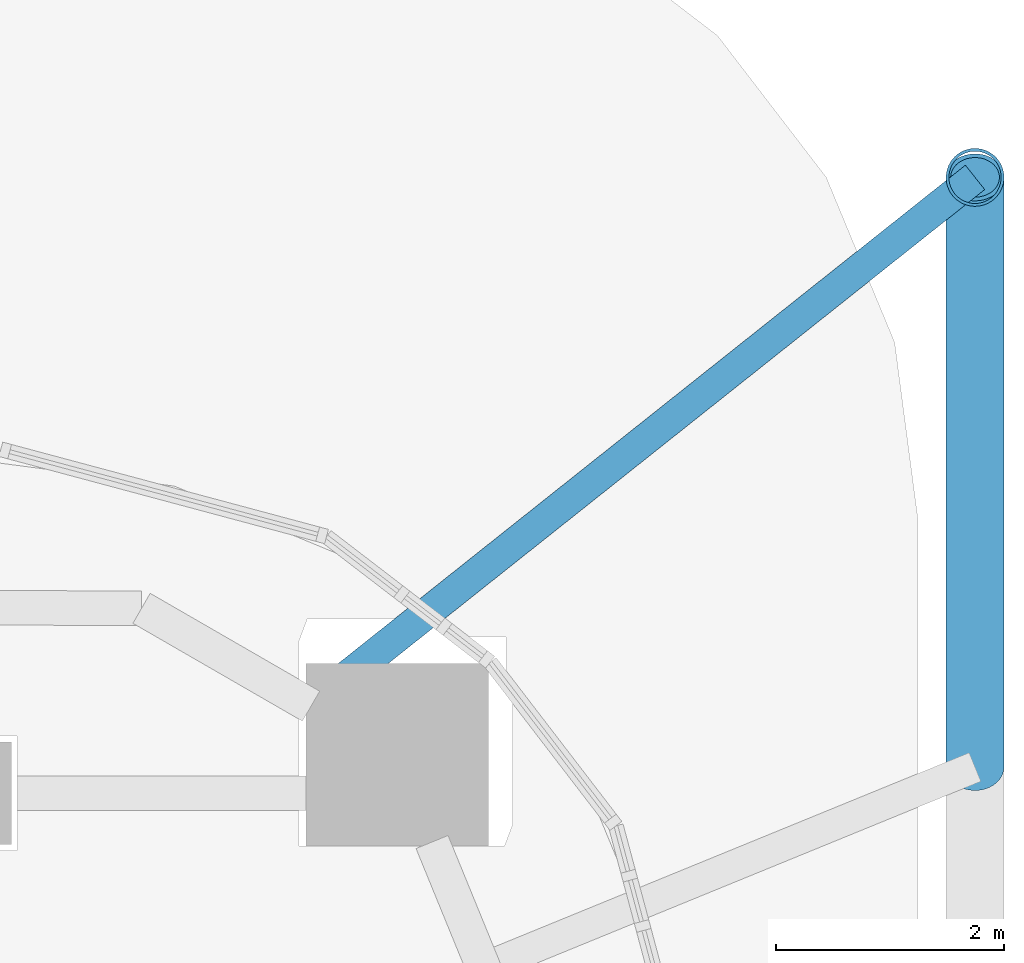
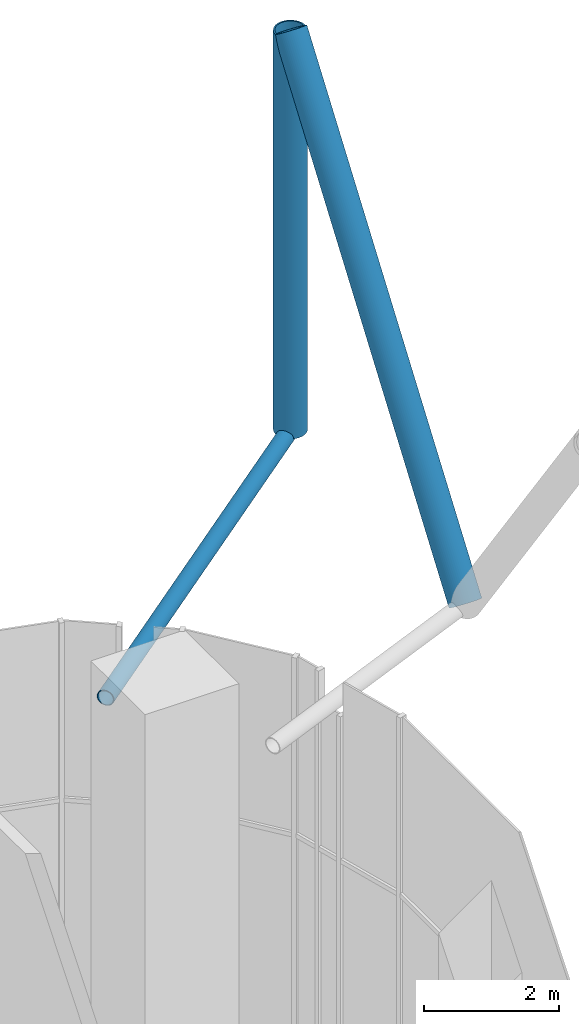
# One storey, part 12 of 34: 3 members.
"""IFC4 building model written with IfcOpenShell, lengths in metres."""

import ifcopenshell
import ifcopenshell.guid

model = None  # the IFC model being written
_history = None  # IfcOwnerHistory: only IFC2X3 demands one
_inside = {}  # id of a spatial element -> (the spatial element, [elements in it])
_under = {}  # id of a project, library or spatial element -> (it, [spatial elements below it])
_declared = {}  # id of a project -> (the project, [libraries it declares])
_typed = {}  # id of a type object -> (the type object, [elements of that type])
_made_of = {}  # id of a material, layer set ... -> (it, [elements and type objects made of it])


def new_model(schema):
    """Start an empty IFC model of exactly this schema.

    Asked for "IFC4X3", IfcOpenShell would pick the latest addendum, in which some entities
    have other attributes; the version numbers below select the first issue.
    IFC2X3 requires an IfcOwnerHistory on every rooted entity: one is made here for all.
    """
    global model, _history
    if schema == "IFC4X3":
        model = ifcopenshell.file(schema_version=(4, 3, 0, 0))
    else:
        model = ifcopenshell.file(schema=schema)
    _inside.clear()
    _under.clear()
    _declared.clear()
    _typed.clear()
    _made_of.clear()
    _history = None
    if model.schema == "IFC2X3":
        org = make("IfcOrganization", Name="unknown")
        user = make(
            "IfcPersonAndOrganization",
            ThePerson=make("IfcPerson", FamilyName="unknown"),
            TheOrganization=org,
        )
        app = make(
            "IfcApplication",
            ApplicationDeveloper=org,
            Version="unknown",
            ApplicationFullName="unknown",
            ApplicationIdentifier="unknown",
        )
        _history = make(
            "IfcOwnerHistory",
            OwningUser=user,
            OwningApplication=app,
            ChangeAction="ADDED",
            CreationDate=0,
        )
    return model


def make(cls, **values):
    """One entity of the class cls with the attributes given. An attribute that is None is left unset."""
    return model.create_entity(
        cls, **{name: value for name, value in values.items() if value is not None}
    )


def rooted(cls, **values):
    """An entity with a GlobalId (a new one), such as an element, a storey or a relation."""
    return make(cls, GlobalId=ifcopenshell.guid.new(), OwnerHistory=_history, **values)


def si_unit(unit_type, name, prefix=None):
    """IfcSIUnit, for example si_unit("LENGTHUNIT", "METRE", prefix="MILLI")."""
    return make("IfcSIUnit", UnitType=unit_type, Prefix=prefix, Name=name)


def assignment(units):
    """IfcUnitAssignment: the units of a project."""
    return None if units is None else make("IfcUnitAssignment", Units=units)


def point(xyz):
    """IfcCartesianPoint."""
    return None if xyz is None else make("IfcCartesianPoint", Coordinates=xyz)


def direction(xyz):
    """IfcDirection."""
    return None if xyz is None else make("IfcDirection", DirectionRatios=xyz)


def frame(location, z_axis=None, x_axis=None):
    """IfcAxis2Placement3D, a coordinate frame: its origin and axes. An axis left out is left unset."""
    return make(
        "IfcAxis2Placement3D",
        Location=point(location),
        Axis=direction(z_axis),
        RefDirection=direction(x_axis),
    )


def frame_2d(location, x_axis=None):
    """IfcAxis2Placement2D, a coordinate frame in the plane: its origin and x axis."""
    return make(
        "IfcAxis2Placement2D", Location=point(location), RefDirection=direction(x_axis)
    )


def origin():
    """The frame at (0, 0, 0) with its axes left unset."""
    return frame((0.0, 0.0, 0.0))


def origin_2d():
    """The frame at (0, 0) in the plane with its x axis left unset."""
    return frame_2d((0.0, 0.0))


def place(relative_to, where):
    """IfcLocalPlacement: puts the frame where relative to a parent placement (None: the world)."""
    return make(
        "IfcLocalPlacement", PlacementRelTo=relative_to, RelativePlacement=where
    )


def context(
    kind, dimensions, precision=None, world=None, true_north=None, identifier=None
):
    """IfcGeometricRepresentationContext, for example the 3D "Model" context."""
    return make(
        "IfcGeometricRepresentationContext",
        ContextIdentifier=identifier,
        ContextType=kind,
        CoordinateSpaceDimension=dimensions,
        Precision=precision,
        WorldCoordinateSystem=world,
        TrueNorth=true_north,
    )


def subcontext(parent, identifier, kind, view, scale=None):
    """IfcGeometricRepresentationSubContext, for example "Body" below "Model"."""
    return make(
        "IfcGeometricRepresentationSubContext",
        ContextIdentifier=identifier,
        ContextType=kind,
        ParentContext=parent,
        TargetScale=scale,
        TargetView=view,
    )


def project(units=None, contexts=None):
    """IfcProject with its units and contexts."""
    return rooted(
        "IfcProject",
        Name="project",
        RepresentationContexts=contexts,
        UnitsInContext=assignment(units),
    )


def spatial(cls, under=None, at=None, **own):
    """A site, building, storey or space (cls), placed at a placement, below another one or the project."""
    s = rooted(cls, ObjectPlacement=at, **own)
    if under is not None:
        _under.setdefault(under.id(), (under, []))[1].append(s)
    return s


def profile(cls, at=None, kind="AREA", **sizes):
    """A parametric profile (cls). Its sizes go by their IFC names, for example OverallWidth=200.0."""
    return make(cls, ProfileType=kind, Position=at, **sizes)


def hollow_circle(**sizes):
    """IfcCircleHollowProfileDef."""
    return profile("IfcCircleHollowProfileDef", **sizes)


def extrude(swept, where, along, depth):
    """IfcExtrudedAreaSolid: the profile swept, set in the frame where, extruded along a direction by depth."""
    return make(
        "IfcExtrudedAreaSolid",
        SweptArea=swept,
        Position=where,
        ExtrudedDirection=direction(along),
        Depth=depth,
    )


def shape(context_of_items, identifier, shape_type, items):
    """IfcShapeRepresentation: the items that make up one representation, for example the "Body"."""
    return make(
        "IfcShapeRepresentation",
        ContextOfItems=context_of_items,
        RepresentationIdentifier=identifier,
        RepresentationType=shape_type,
        Items=items,
    )


def material(Name=None, Category=None):
    """IfcMaterial."""
    return make("IfcMaterial", Name=Name, Category=Category)


def material_profile(
    of_material, cross_section, Name=None, Category=None, Priority=None
):
    """IfcMaterialProfile: a cross section and its material."""
    return make(
        "IfcMaterialProfile",
        Name=Name,
        Material=of_material,
        Profile=cross_section,
        Priority=Priority,
        Category=Category,
    )


def profile_set(profiles, Name=None, composite=None):
    """IfcMaterialProfileSet."""
    return make(
        "IfcMaterialProfileSet",
        Name=Name,
        MaterialProfiles=profiles,
        CompositeProfile=composite,
    )


def made_of(thing, what):
    """Note that an element or type object is made of a material, layer set ...; save() writes the relation."""
    if what is not None:
        _made_of.setdefault(what.id(), (what, []))[1].append(thing)
    return thing


def type_object(cls, material=None, **own):
    """A type object (cls), such as IfcWallType, which elements share."""
    return made_of(rooted(cls, **own), material)


def element(
    cls,
    number,
    at=None,
    inside=None,
    cuts=None,
    type_object=None,
    material=None,
    context=None,
    identifier="Body",
    shape_type=None,
    held_by="IfcProductDefinitionShape",
    body=None,
    shapes=None,
    **own,
):
    """One element of the class cls, such as IfcWall. Its Tag is "e" and its number.

    at: its placement. inside: the storey or other place that contains it. cuts: it is an
    opening in that element (IfcRelVoidsElement). A single representation is given by context,
    identifier, shape_type and body (its items); several are given by shapes. held_by: the class
    of the entity that holds the representations. save() writes the other relations.
    """
    e = rooted(cls, Tag="e%d" % number, ObjectPlacement=at, **own)
    if body is not None:
        shapes = [shape(context, identifier, shape_type, body)]
    if shapes is not None:
        e.Representation = make(held_by, Representations=shapes)
    if inside is not None:
        _inside.setdefault(inside.id(), (inside, []))[1].append(e)
    if cuts is not None:
        rooted(
            "IfcRelVoidsElement", RelatingBuildingElement=cuts, RelatedOpeningElement=e
        )
    if type_object is not None:
        _typed.setdefault(type_object.id(), (type_object, []))[1].append(e)
    return made_of(e, material)


def aggregate(whole, parts):
    """IfcRelAggregates: a whole, such as a stair, and the parts it consists of."""
    return rooted("IfcRelAggregates", RelatingObject=whole, RelatedObjects=parts)


def save(model, path):
    """Write the relations noted so far, then the file.

    IfcRelAggregates (storeys below a building ...), IfcRelContainedInSpatialStructure (elements
    in a storey), IfcRelDefinesByType, IfcRelAssociatesMaterial and IfcRelDeclares: one each for
    every whole, place, type object, material and project.
    """
    for whole, parts in _under.values():
        aggregate(whole, parts)
    for where, things in _inside.values():
        rooted(
            "IfcRelContainedInSpatialStructure",
            RelatedElements=things,
            RelatingStructure=where,
        )
    for kind, things in _typed.values():
        rooted("IfcRelDefinesByType", RelatedObjects=things, RelatingType=kind)
    for what, things in _made_of.values():
        rooted("IfcRelAssociatesMaterial", RelatedObjects=things, RelatingMaterial=what)
    for by, libraries in _declared.values():
        rooted("IfcRelDeclares", RelatingContext=by, RelatedDefinitions=libraries)
    model.write(path)


model = new_model("IFC4")

# Units and contexts
model_context = context("Model", 3, precision=1e-05, world=origin(), true_north=direction((0.0, 1.0)))
body_context = subcontext(model_context, "Body", "Model", "MODEL_VIEW")
ifc_project = project(units=[si_unit("LENGTHUNIT", "METRE"), si_unit("AREAUNIT", "SQUARE_METRE"), si_unit("VOLUMEUNIT", "CUBIC_METRE"), si_unit("PLANEANGLEUNIT", "RADIAN"), si_unit("MASSUNIT", "GRAM", prefix="KILO")], contexts=[model_context])

# Site, building, storey
site_placement = place(None, origin())
site = spatial("IfcSite", under=ifc_project, at=site_placement, CompositionType="ELEMENT")
building_placement = place(site_placement, origin())
building = spatial("IfcBuilding", under=site, at=building_placement, Name="Marenta Gate Hotel Tower", CompositionType="ELEMENT")
storey_placement = place(building_placement, frame((0.0, 0.0, 97.699951171875)))
storey = spatial("IfcBuildingStorey", under=building, at=storey_placement, Name="L21", CompositionType="ELEMENT", Elevation=97.699951171875)

# Members
ifc_material_1 = material(Name="Steel S355J2W", Category="steel")
ifc_material_profile_1 = material_profile(ifc_material_1, hollow_circle(Radius=0.25390625, WallThickness=0.02490234375, at=origin_2d()), Name="CHS 508x25")
ifc_profile_set_1 = profile_set([ifc_material_profile_1], Name="Steel S355J2W")
member_type_1 = type_object("IfcMemberType", Name="Diagrid corner post Z2 CHS 508x25", PredefinedType="POST", material=ifc_profile_set_1)
member_1_placement = place(storey_placement, frame((29.89990234375, 30.60009765625, 6.739990234375), z_axis=(0.0, 0.0, 1.0), x_axis=(1.0, 0.0, 0.0)))
element("IfcMember", 1, at=member_1_placement, inside=storey, type_object=member_type_1, Name="L21-DR-1", PredefinedType="POST", context=body_context, shape_type="SweptSolid", body=[
    extrude(hollow_circle(Radius=0.25390625, WallThickness=0.02490234375, at=origin_2d()), origin(), (0.0, 0.0, 1.0), 7.199951171875),
])
ifc_material_2 = material(Name="Steel S355J2W", Category="steel")
ifc_material_profile_2 = material_profile(ifc_material_2, hollow_circle(Radius=0.25390625, WallThickness=0.0400390625, at=origin_2d()), Name="CHS 508x40")
ifc_profile_set_2 = profile_set([ifc_material_profile_2], Name="Steel S355J2W")
member_type_2 = type_object("IfcMemberType", Name="Diagrid diagonal Z2 CHS 508x40", PredefinedType="BRACE", material=ifc_profile_set_2)
member_2_placement = place(storey_placement, frame((29.89990234375, 25.429931640625, 6.739990234375), z_axis=(0.0, 0.583279014058, 0.812271870595), x_axis=(-1.0, 0.0, 0.0)))
element("IfcMember", 2, at=member_2_placement, inside=storey, type_object=member_type_2, Name="L21-DG-1", PredefinedType="BRACE", context=body_context, shape_type="SweptSolid", body=[
    extrude(hollow_circle(Radius=0.25390625, WallThickness=0.0400390625, at=origin_2d()), origin(), (0.0, 0.0, 1.0), 8.864013671875),
])
ifc_material_3 = material(Name="Steel S355J2W", Category="steel")
ifc_material_profile_3 = material_profile(ifc_material_3, hollow_circle(Radius=0.136474609375, WallThickness=0.012451171875, at=origin_2d()), Name="CHS 273x12.5")
ifc_profile_set_3 = profile_set([ifc_material_profile_3], Name="Steel S355J2W")
member_type_3 = type_object("IfcMemberType", Name="Floor tie CHS 273x12.5", PredefinedType="STRUT", material=ifc_profile_set_3)
member_3_placement = place(storey_placement, frame((29.89990234375, 30.60009765625, 6.739990234375), z_axis=(-0.782942525187, -0.622094046149, 0.0), x_axis=(0.622094046149, -0.782942525187, 0.0)))
element("IfcMember", 3, at=member_3_placement, inside=storey, type_object=member_type_3, Name="L21-DR-7", PredefinedType="STRUT", context=body_context, shape_type="SweptSolid", body=[
    extrude(hollow_circle(Radius=0.136474609375, WallThickness=0.012451171875, at=origin_2d()), origin(), (0.0, 0.0, 1.0), 7.43896484375),
])

save(model, "model.ifc")
